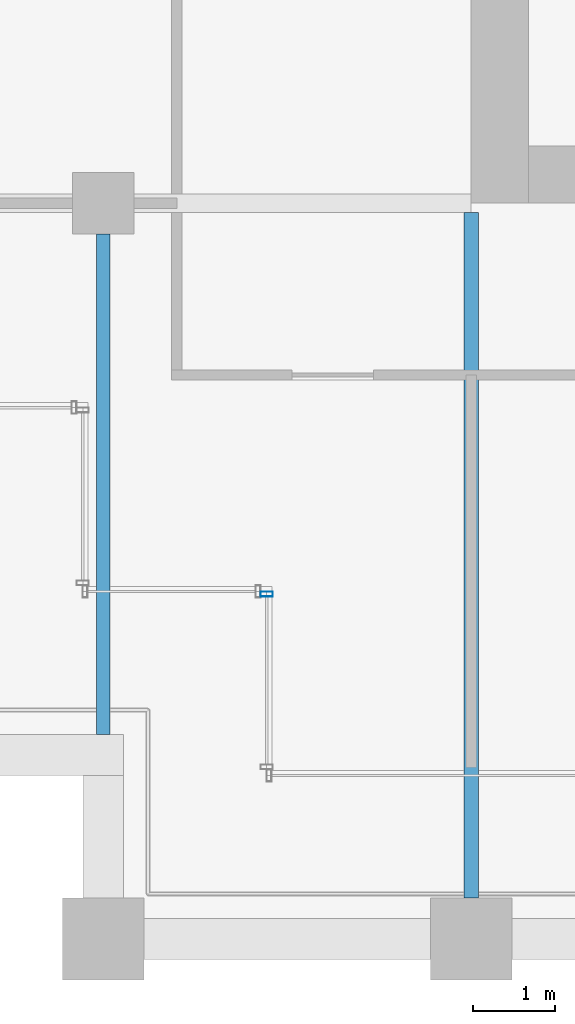
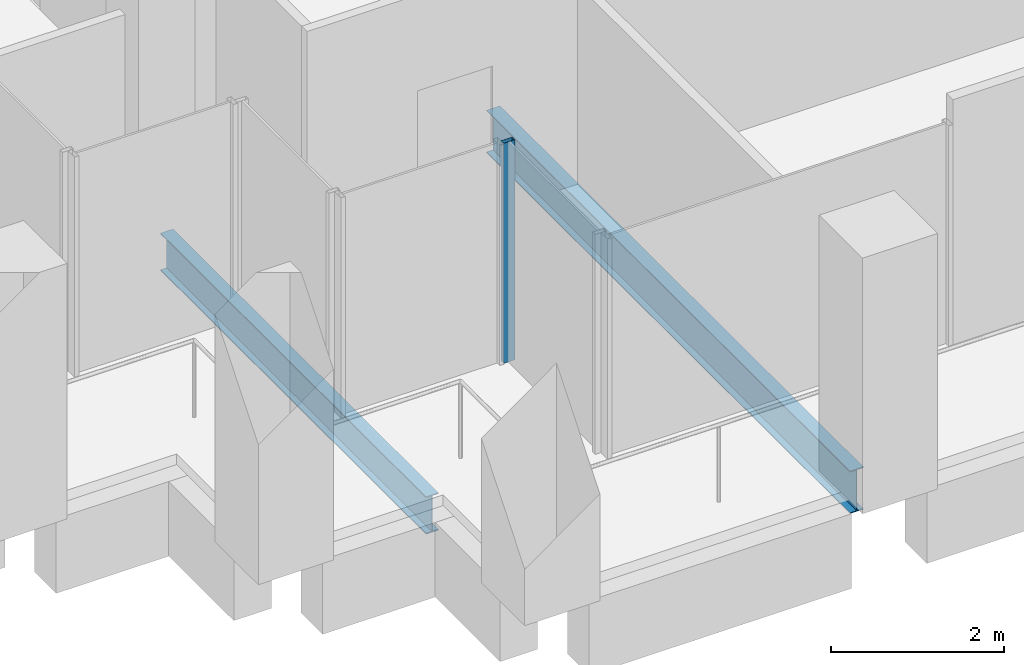
# One storey, part 29 of 46: 2 beams, 1 member, 1 element without a shape of its own.
"""IFC4 building model written with IfcOpenShell, lengths in metres."""

import ifcopenshell
import ifcopenshell.guid

model = None  # the IFC model being written
_history = None  # IfcOwnerHistory: only IFC2X3 demands one
_inside = {}  # id of a spatial element -> (the spatial element, [elements in it])
_under = {}  # id of a project, library or spatial element -> (it, [spatial elements below it])
_declared = {}  # id of a project -> (the project, [libraries it declares])
_typed = {}  # id of a type object -> (the type object, [elements of that type])
_made_of = {}  # id of a material, layer set ... -> (it, [elements and type objects made of it])


def new_model(schema):
    """Start an empty IFC model of exactly this schema.

    Asked for "IFC4X3", IfcOpenShell would pick the latest addendum, in which some entities
    have other attributes; the version numbers below select the first issue.
    IFC2X3 requires an IfcOwnerHistory on every rooted entity: one is made here for all.
    """
    global model, _history
    if schema == "IFC4X3":
        model = ifcopenshell.file(schema_version=(4, 3, 0, 0))
    else:
        model = ifcopenshell.file(schema=schema)
    _inside.clear()
    _under.clear()
    _declared.clear()
    _typed.clear()
    _made_of.clear()
    _history = None
    if model.schema == "IFC2X3":
        org = make("IfcOrganization", Name="unknown")
        user = make(
            "IfcPersonAndOrganization",
            ThePerson=make("IfcPerson", FamilyName="unknown"),
            TheOrganization=org,
        )
        app = make(
            "IfcApplication",
            ApplicationDeveloper=org,
            Version="unknown",
            ApplicationFullName="unknown",
            ApplicationIdentifier="unknown",
        )
        _history = make(
            "IfcOwnerHistory",
            OwningUser=user,
            OwningApplication=app,
            ChangeAction="ADDED",
            CreationDate=0,
        )
    return model


def make(cls, **values):
    """One entity of the class cls with the attributes given. An attribute that is None is left unset."""
    return model.create_entity(
        cls, **{name: value for name, value in values.items() if value is not None}
    )


def rooted(cls, **values):
    """An entity with a GlobalId (a new one), such as an element, a storey or a relation."""
    return make(cls, GlobalId=ifcopenshell.guid.new(), OwnerHistory=_history, **values)


def si_unit(unit_type, name, prefix=None):
    """IfcSIUnit, for example si_unit("LENGTHUNIT", "METRE", prefix="MILLI")."""
    return make("IfcSIUnit", UnitType=unit_type, Prefix=prefix, Name=name)


def assignment(units):
    """IfcUnitAssignment: the units of a project."""
    return None if units is None else make("IfcUnitAssignment", Units=units)


def point(xyz):
    """IfcCartesianPoint."""
    return None if xyz is None else make("IfcCartesianPoint", Coordinates=xyz)


def direction(xyz):
    """IfcDirection."""
    return None if xyz is None else make("IfcDirection", DirectionRatios=xyz)


def frame(location, z_axis=None, x_axis=None):
    """IfcAxis2Placement3D, a coordinate frame: its origin and axes. An axis left out is left unset."""
    return make(
        "IfcAxis2Placement3D",
        Location=point(location),
        Axis=direction(z_axis),
        RefDirection=direction(x_axis),
    )


def frame_2d(location, x_axis=None):
    """IfcAxis2Placement2D, a coordinate frame in the plane: its origin and x axis."""
    return make(
        "IfcAxis2Placement2D", Location=point(location), RefDirection=direction(x_axis)
    )


def origin():
    """The frame at (0, 0, 0) with its axes left unset."""
    return frame((0.0, 0.0, 0.0))


def origin_2d():
    """The frame at (0, 0) in the plane with its x axis left unset."""
    return frame_2d((0.0, 0.0))


def place(relative_to, where):
    """IfcLocalPlacement: puts the frame where relative to a parent placement (None: the world)."""
    return make(
        "IfcLocalPlacement", PlacementRelTo=relative_to, RelativePlacement=where
    )


def context(
    kind, dimensions, precision=None, world=None, true_north=None, identifier=None
):
    """IfcGeometricRepresentationContext, for example the 3D "Model" context."""
    return make(
        "IfcGeometricRepresentationContext",
        ContextIdentifier=identifier,
        ContextType=kind,
        CoordinateSpaceDimension=dimensions,
        Precision=precision,
        WorldCoordinateSystem=world,
        TrueNorth=true_north,
    )


def subcontext(parent, identifier, kind, view, scale=None):
    """IfcGeometricRepresentationSubContext, for example "Body" below "Model"."""
    return make(
        "IfcGeometricRepresentationSubContext",
        ContextIdentifier=identifier,
        ContextType=kind,
        ParentContext=parent,
        TargetScale=scale,
        TargetView=view,
    )


def project(units=None, contexts=None):
    """IfcProject with its units and contexts."""
    return rooted(
        "IfcProject",
        Name="project",
        RepresentationContexts=contexts,
        UnitsInContext=assignment(units),
    )


def spatial(cls, under=None, at=None, **own):
    """A site, building, storey or space (cls), placed at a placement, below another one or the project."""
    s = rooted(cls, ObjectPlacement=at, **own)
    if under is not None:
        _under.setdefault(under.id(), (under, []))[1].append(s)
    return s


def profile(cls, at=None, kind="AREA", **sizes):
    """A parametric profile (cls). Its sizes go by their IFC names, for example OverallWidth=200.0."""
    return make(cls, ProfileType=kind, Position=at, **sizes)


def hollow_rectangle(**sizes):
    """IfcRectangleHollowProfileDef."""
    return profile("IfcRectangleHollowProfileDef", **sizes)


def i_section(**sizes):
    """IfcIShapeProfileDef."""
    return profile("IfcIShapeProfileDef", **sizes)


def extrude(swept, where, along, depth):
    """IfcExtrudedAreaSolid: the profile swept, set in the frame where, extruded along a direction by depth."""
    return make(
        "IfcExtrudedAreaSolid",
        SweptArea=swept,
        Position=where,
        ExtrudedDirection=direction(along),
        Depth=depth,
    )


def shape(context_of_items, identifier, shape_type, items):
    """IfcShapeRepresentation: the items that make up one representation, for example the "Body"."""
    return make(
        "IfcShapeRepresentation",
        ContextOfItems=context_of_items,
        RepresentationIdentifier=identifier,
        RepresentationType=shape_type,
        Items=items,
    )


def material(Name=None, Category=None):
    """IfcMaterial."""
    return make("IfcMaterial", Name=Name, Category=Category)


def material_profile(
    of_material, cross_section, Name=None, Category=None, Priority=None
):
    """IfcMaterialProfile: a cross section and its material."""
    return make(
        "IfcMaterialProfile",
        Name=Name,
        Material=of_material,
        Profile=cross_section,
        Priority=Priority,
        Category=Category,
    )


def profile_set(profiles, Name=None, composite=None):
    """IfcMaterialProfileSet."""
    return make(
        "IfcMaterialProfileSet",
        Name=Name,
        MaterialProfiles=profiles,
        CompositeProfile=composite,
    )


def made_of(thing, what):
    """Note that an element or type object is made of a material, layer set ...; save() writes the relation."""
    if what is not None:
        _made_of.setdefault(what.id(), (what, []))[1].append(thing)
    return thing


def type_object(cls, material=None, **own):
    """A type object (cls), such as IfcWallType, which elements share."""
    return made_of(rooted(cls, **own), material)


def element(
    cls,
    number,
    at=None,
    inside=None,
    cuts=None,
    type_object=None,
    material=None,
    context=None,
    identifier="Body",
    shape_type=None,
    held_by="IfcProductDefinitionShape",
    body=None,
    shapes=None,
    **own,
):
    """One element of the class cls, such as IfcWall. Its Tag is "e" and its number.

    at: its placement. inside: the storey or other place that contains it. cuts: it is an
    opening in that element (IfcRelVoidsElement). A single representation is given by context,
    identifier, shape_type and body (its items); several are given by shapes. held_by: the class
    of the entity that holds the representations. save() writes the other relations.
    """
    e = rooted(cls, Tag="e%d" % number, ObjectPlacement=at, **own)
    if body is not None:
        shapes = [shape(context, identifier, shape_type, body)]
    if shapes is not None:
        e.Representation = make(held_by, Representations=shapes)
    if inside is not None:
        _inside.setdefault(inside.id(), (inside, []))[1].append(e)
    if cuts is not None:
        rooted(
            "IfcRelVoidsElement", RelatingBuildingElement=cuts, RelatedOpeningElement=e
        )
    if type_object is not None:
        _typed.setdefault(type_object.id(), (type_object, []))[1].append(e)
    return made_of(e, material)


def aggregate(whole, parts):
    """IfcRelAggregates: a whole, such as a stair, and the parts it consists of."""
    return rooted("IfcRelAggregates", RelatingObject=whole, RelatedObjects=parts)


def save(model, path):
    """Write the relations noted so far, then the file.

    IfcRelAggregates (storeys below a building ...), IfcRelContainedInSpatialStructure (elements
    in a storey), IfcRelDefinesByType, IfcRelAssociatesMaterial and IfcRelDeclares: one each for
    every whole, place, type object, material and project.
    """
    for whole, parts in _under.values():
        aggregate(whole, parts)
    for where, things in _inside.values():
        rooted(
            "IfcRelContainedInSpatialStructure",
            RelatedElements=things,
            RelatingStructure=where,
        )
    for kind, things in _typed.values():
        rooted("IfcRelDefinesByType", RelatedObjects=things, RelatingType=kind)
    for what, things in _made_of.values():
        rooted("IfcRelAssociatesMaterial", RelatedObjects=things, RelatingMaterial=what)
    for by, libraries in _declared.values():
        rooted("IfcRelDeclares", RelatingContext=by, RelatedDefinitions=libraries)
    model.write(path)


model = new_model("IFC4")

# Units and contexts
model_context = context("Model", 3, precision=1e-05, world=origin(), true_north=direction((0.0, 1.0)))
body_context = subcontext(model_context, "Body", "Model", "MODEL_VIEW")
ifc_project = project(units=[si_unit("LENGTHUNIT", "METRE"), si_unit("AREAUNIT", "SQUARE_METRE"), si_unit("VOLUMEUNIT", "CUBIC_METRE"), si_unit("PLANEANGLEUNIT", "RADIAN"), si_unit("MASSUNIT", "GRAM", prefix="KILO")], contexts=[model_context])

# Site, building, storey
site_placement = place(None, origin())
site = spatial("IfcSite", under=ifc_project, at=site_placement, CompositionType="ELEMENT")
building_placement = place(site_placement, origin())
building = spatial("IfcBuilding", under=site, at=building_placement, Name="Altepetl Exchange Towers", CompositionType="ELEMENT")
storey_placement = place(building_placement, frame((0.0, 0.0, 102.800048828125)))
storey = spatial("IfcBuildingStorey", under=building, at=storey_placement, Name="L25", CompositionType="ELEMENT", Elevation=102.800048828125)

# Beams
ifc_material_1 = material(Name="Steel S355", Category="steel")
ifc_material_profile_1 = material_profile(ifc_material_1, i_section(OverallWidth=0.166015625, OverallDepth=0.529052734375, WebThickness=0.009765625, FlangeThickness=0.013671875, at=origin_2d()), Name="W21X50")
ifc_profile_set_1 = profile_set([ifc_material_profile_1], Name="Steel S355")
beam_type_1 = type_object("IfcBeamType", Name="Floor beam W21X50", PredefinedType="BEAM", material=ifc_profile_set_1)
beam_1_placement = place(storey_placement, frame((99.0, 29.5, -0.41455078125), z_axis=(0.0, 1.0, 0.0), x_axis=(-1.0, 0.0, 0.0)))
element("IfcBeam", 1, at=beam_1_placement, inside=storey, type_object=beam_type_1, Name="bm:B:L25:004", PredefinedType="BEAM", context=body_context, shape_type="SweptSolid", body=[
    extrude(i_section(OverallWidth=0.166015625, OverallDepth=0.529052734375, WebThickness=0.009765625, FlangeThickness=0.013671875, at=origin_2d()), origin(), (0.0, 0.0, 1.0), 6.125),
])
ifc_material_profile_2 = material_profile(ifc_material_1, i_section(OverallWidth=0.177978515625, OverallDepth=0.59912109375, WebThickness=0.010009765625, FlangeThickness=0.0126953125, at=origin_2d()), Name="W24X55")
ifc_profile_set_2 = profile_set([ifc_material_profile_2], Name="Steel S355")
beam_type_2 = type_object("IfcBeamType", Name="Floor beam W24X55", PredefinedType="BEAM", material=ifc_profile_set_2)
beam_2_placement = place(storey_placement, frame((103.5, 27.5, -0.449462890625), z_axis=(0.0, 1.0, 0.0), x_axis=(-1.0, 0.0, 0.0)))
element("IfcBeam", 2, at=beam_2_placement, inside=storey, type_object=beam_type_2, Name="bm:B:L25:005", PredefinedType="BEAM", context=body_context, shape_type="SweptSolid", body=[
    extrude(i_section(OverallWidth=0.177978515625, OverallDepth=0.59912109375, WebThickness=0.010009765625, FlangeThickness=0.0126953125, at=origin_2d()), origin(), (0.0, 0.0, 1.0), 8.385986328125),
])

# Curtain wall, member
ifc_material_2 = material(Name="Aluminium 6063-T6 glazing", Category="aluminium")
curtain_wall_type = type_object("IfcCurtainWallType", Name="Loggia glazing system", PredefinedType="NOTDEFINED", material=ifc_material_2)
curtain_wall_placement = place(storey_placement, origin())
curtain_wall = element("IfcCurtainWall", 3, at=curtain_wall_placement, inside=storey, type_object=curtain_wall_type, Name="CW1 run", PredefinedType="NOTDEFINED")
ifc_material_3 = material(Name="Aluminium 6063-T6", Category="aluminium")
ifc_material_profile_3 = material_profile(ifc_material_3, hollow_rectangle(XDim=0.06005859375, YDim=0.14990234375, WallThickness=0.0029296875, at=origin_2d()), Name="Mullion 60x150 aluminium")
ifc_profile_set_3 = profile_set([ifc_material_profile_3], Name="Aluminium 6063-T6")
member_type = type_object("IfcMemberType", Name="Mullion 60x150 aluminium", PredefinedType="MULLION", material=ifc_profile_set_3)
member_placement = place(storey_placement, frame((101.0, 31.219970703125, 0.0), z_axis=(0.0, 0.0, 1.0), x_axis=(0.0, -1.0, 0.0)))
member = element("IfcMember", 4, at=member_placement, type_object=member_type, Name="MU1 mullion", PredefinedType="MULLION", context=body_context, shape_type="SweptSolid", body=[
    extrude(hollow_rectangle(XDim=0.06005859375, YDim=0.14990234375, WallThickness=0.0029296875, at=origin_2d()), origin(), (0.0, 0.0, 1.0), 3.099853515625),
])
aggregate(curtain_wall, [member])

save(model, "model.ifc")
